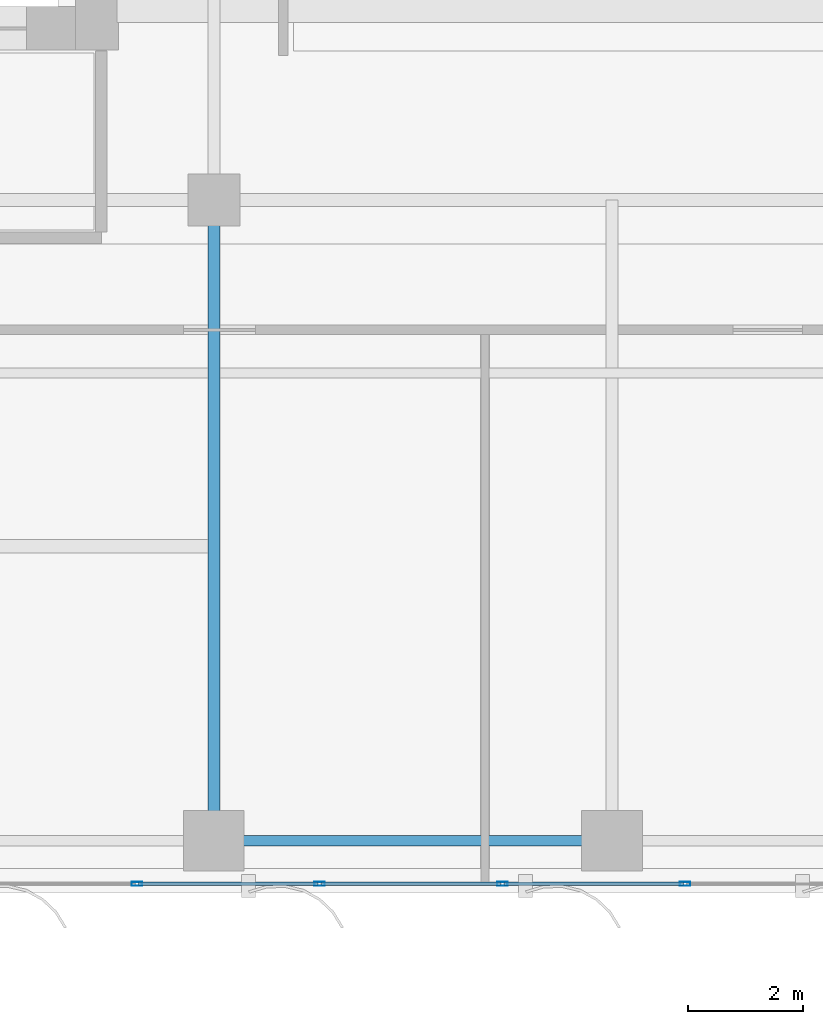
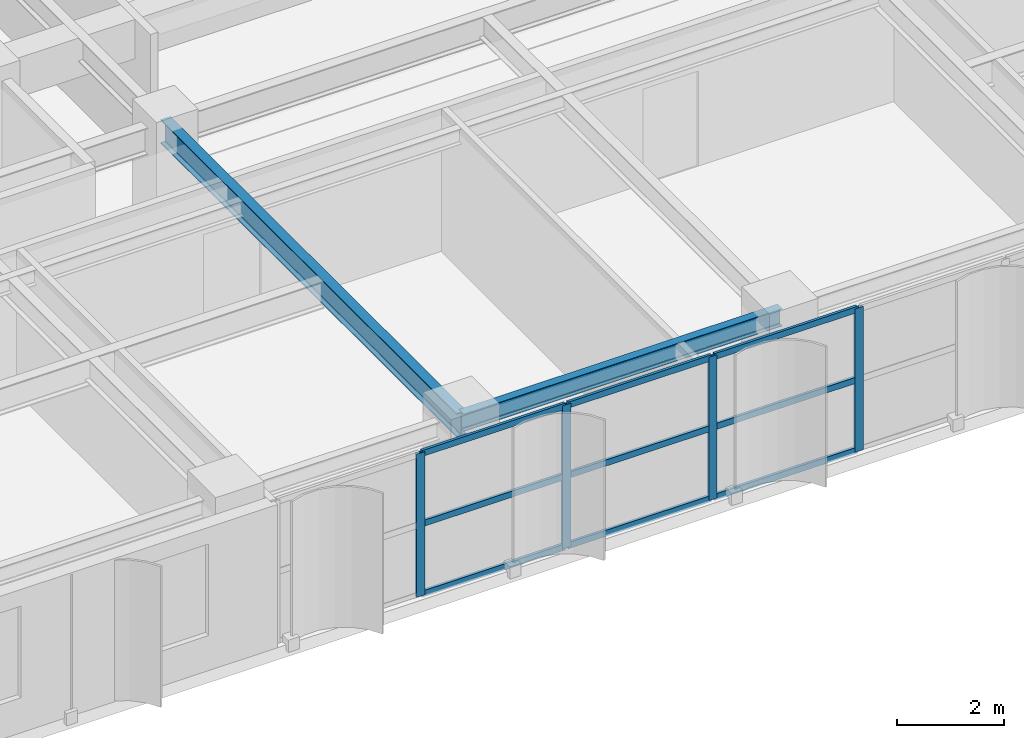
# One storey, part 4 of 28: 13 members, 2 beams, 1 element without a shape of its own.
"""IFC4 building model written with IfcOpenShell, lengths in metres."""

from ifc_helpers import new_model, si_unit, direction, frame, origin, origin_2d, place, context, subcontext, project, spatial, hollow_rectangle, i_section, extrude, source, transform, mapped, material, layer, layer_set, material_profile, profile_set, type_object, element, aggregate, save


model = new_model("IFC4")

# Units and contexts
model_context = context("Model", 3, precision=1e-05, world=origin(), true_north=direction((0.0, 1.0)))
body_context = subcontext(model_context, "Body", "Model", "MODEL_VIEW")
ifc_project = project(units=[si_unit("LENGTHUNIT", "METRE"), si_unit("AREAUNIT", "SQUARE_METRE"), si_unit("VOLUMEUNIT", "CUBIC_METRE"), si_unit("PLANEANGLEUNIT", "RADIAN"), si_unit("MASSUNIT", "GRAM", prefix="KILO")], contexts=[model_context])

# Site, building, storey
site_placement = place(None, origin())
site = spatial("IfcSite", under=ifc_project, at=site_placement, CompositionType="ELEMENT")
building_placement = place(site_placement, origin())
building = spatial("IfcBuilding", under=site, at=building_placement, Name="Khoralis Quay Care Tower", CompositionType="ELEMENT")
storey_placement = place(building_placement, frame((0.0, 0.0, 144.89990234375)))
storey = spatial("IfcBuildingStorey", under=building, at=storey_placement, Name="L38", CompositionType="ELEMENT", Elevation=144.89990234375)

# Beams
ifc_material_1 = material(Name="Steel S355", Category="steel")
ifc_material_profile_1 = material_profile(ifc_material_1, i_section(OverallWidth=0.179931640625, OverallDepth=0.39990234375, WebThickness=0.008544921875, FlangeThickness=0.013427734375, FilletRadius=0.02099609375, at=origin_2d()), Name="Steel S355")
ifc_profile_set_1 = profile_set([ifc_material_profile_1], Name="Steel S355")
beam_type_1 = type_object("IfcBeamType", Name="BM-IPE400", PredefinedType="SPANDREL", material=ifc_profile_set_1)
shared_shape_1 = source(origin(), body_context, "Body", "SweptSolid", [
    extrude(i_section(OverallWidth=0.179931640625, OverallDepth=0.39990234375, WebThickness=0.008544921875, FlangeThickness=0.013427734375, FilletRadius=0.02099609375, at=origin_2d()), origin(), (0.0, 0.0, 1.0), 6.89990234375),
])
beam_1_placement = place(storey_placement, frame((17.10009765625, 0.89990234375, 3.080078125), z_axis=(1.0, 0.0, 0.0), x_axis=(0.0, 1.0, 0.0)))
element("IfcBeam", 1, at=beam_1_placement, inside=storey, type_object=beam_type_1, Name="BM-TSP-L38-03", PredefinedType="SPANDREL", context=body_context, shape_type="MappedRepresentation", body=[
    mapped(shared_shape_1, transform((0.0, 0.0, 0.0), scale=1.0)),
])
ifc_material_profile_2 = material_profile(ifc_material_1, i_section(OverallWidth=0.2119140625, OverallDepth=0.5439453125, WebThickness=0.01318359375, FlangeThickness=0.021240234375, FilletRadius=0.01611328125, at=origin_2d()), Name="Steel S355")
ifc_profile_set_2 = profile_set([ifc_material_profile_2], Name="Steel S355")
beam_type_2 = type_object("IfcBeamType", Name="BM-W530X123", PredefinedType="BEAM", material=ifc_profile_set_2)
shared_shape_2 = source(origin(), body_context, "Body", "SweptSolid", [
    extrude(i_section(OverallWidth=0.2119140625, OverallDepth=0.5439453125, WebThickness=0.01318359375, FlangeThickness=0.021240234375, FilletRadius=0.01611328125, at=origin_2d()), origin(), (0.0, 0.0, 1.0), 11.10009765625),
])
beam_2_placement = place(storey_placement, frame((17.10009765625, 0.89990234375, 3.008056640625), z_axis=(0.0, 1.0, 0.0), x_axis=(-1.0, 0.0, 0.0)))
element("IfcBeam", 2, at=beam_2_placement, inside=storey, type_object=beam_type_2, Name="BM-TGYS-L38-171", PredefinedType="BEAM", context=body_context, shape_type="MappedRepresentation", body=[
    mapped(shared_shape_2, transform((0.0, 0.0, 0.0), scale=1.0)),
])

# Curtain wall, members
ifc_material_2 = material(Name="Pale anodised aluminium", Category="aluminium")
ifc_layer = layer(ifc_material_2, 0.169921875)
ifc_layer_set = layer_set([ifc_layer], Name="Pale anodised aluminium")
curtain_wall_type = type_object("IfcCurtainWallType", Name="CW-SYS-Z2", PredefinedType="NOTDEFINED", material=ifc_layer_set)
curtain_wall_placement = place(storey_placement, origin())
curtain_wall = element("IfcCurtainWall", 3, at=curtain_wall_placement, inside=storey, type_object=curtain_wall_type, Name="L38 Unitised Curtain Wall CW-L38-P1-E0", PredefinedType="NOTDEFINED")
ifc_material_profile_3 = material_profile(ifc_material_2, hollow_rectangle(XDim=0.06494140625, YDim=0.179931640625, WallThickness=0.00390625, at=origin_2d()), Name="Pale anodised aluminium")
ifc_profile_set_3 = profile_set([ifc_material_profile_3], Name="Pale anodised aluminium")
member_type_1 = type_object("IfcMemberType", Name="CW-MUL-180", PredefinedType="MULLION", material=ifc_profile_set_3)
shared_shape_3 = source(origin(), body_context, "Body", "SweptSolid", [
    extrude(hollow_rectangle(XDim=0.06494140625, YDim=0.179931640625, WallThickness=0.00390625, at=origin_2d()), origin(), (0.0, 0.0, 1.0), 3.280029296875),
])
member_1_placement = place(storey_placement, frame((15.7666015625, 0.14990234375, 0.0), z_axis=(0.0, 0.0, 1.0), x_axis=(0.0, 1.0, 0.0)))
member_1 = element("IfcMember", 4, at=member_1_placement, type_object=member_type_1, Name="CW2 mullion 2", PredefinedType="MULLION", context=body_context, shape_type="MappedRepresentation", body=[
    mapped(shared_shape_3, transform((0.0, 0.0, 0.0), scale=1.0)),
])
member_2_placement = place(storey_placement, frame((18.933349609375, 0.14990234375, 0.0), z_axis=(0.0, 0.0, 1.0), x_axis=(0.0, 1.0, 0.0)))
member_2 = element("IfcMember", 5, at=member_2_placement, type_object=member_type_1, Name="CW2 mullion 3", PredefinedType="MULLION", context=body_context, shape_type="MappedRepresentation", body=[
    mapped(shared_shape_3, transform((0.0, 0.0, 0.0), scale=1.0)),
])
member_3_placement = place(storey_placement, frame((22.10009765625, 0.14990234375, 0.0), z_axis=(0.0, 0.0, 1.0), x_axis=(0.0, 1.0, 0.0)))
member_3 = element("IfcMember", 6, at=member_3_placement, type_object=member_type_1, Name="CW2 mullion 4", PredefinedType="MULLION", context=body_context, shape_type="MappedRepresentation", body=[
    mapped(shared_shape_3, transform((0.0, 0.0, 0.0), scale=1.0)),
])
member_4_placement = place(storey_placement, frame((25.2666015625, 0.14990234375, 0.0), z_axis=(0.0, 0.0, 1.0), x_axis=(0.0, 1.0, 0.0)))
member_4 = element("IfcMember", 7, at=member_4_placement, type_object=member_type_1, Name="CW2 mullion 5", PredefinedType="MULLION", context=body_context, shape_type="MappedRepresentation", body=[
    mapped(shared_shape_3, transform((0.0, 0.0, 0.0), scale=1.0)),
])
ifc_material_profile_4 = material_profile(ifc_material_2, hollow_rectangle(XDim=0.06005859375, YDim=0.139892578125, WallThickness=0.00390625, at=origin_2d()), Name="Pale anodised aluminium")
ifc_profile_set_4 = profile_set([ifc_material_profile_4], Name="Pale anodised aluminium")
member_type_2 = type_object("IfcMemberType", Name="CW-TRN-140", PredefinedType="USERDEFINED", material=ifc_profile_set_4)
shared_shape_4 = source(origin(), body_context, "Body", "SweptSolid", [
    extrude(hollow_rectangle(XDim=0.06005859375, YDim=0.139892578125, WallThickness=0.00390625, at=origin_2d()), origin(), (0.0, 0.0, 1.0), 3.106689453125),
])
member_5_placement = place(storey_placement, frame((15.796630859375, 0.14990234375, 0.030029296875), z_axis=(1.0, 0.0, 0.0), x_axis=(0.0, 1.0, 0.0)))
member_5 = element("IfcMember", 8, at=member_5_placement, type_object=member_type_2, Name="CW2 transom 2.1", ObjectType="TRANSOM", PredefinedType="USERDEFINED", context=body_context, shape_type="MappedRepresentation", body=[
    mapped(shared_shape_4, transform((0.0, 0.0, 0.0), scale=1.0)),
])
member_6_placement = place(storey_placement, frame((15.796630859375, 0.14990234375, 1.64013671875), z_axis=(1.0, 0.0, 0.0), x_axis=(0.0, 1.0, 0.0)))
member_6 = element("IfcMember", 9, at=member_6_placement, type_object=member_type_2, Name="CW2 transom 2.2", ObjectType="TRANSOM", PredefinedType="USERDEFINED", context=body_context, shape_type="MappedRepresentation", body=[
    mapped(shared_shape_4, transform((0.0, 0.0, 0.0), scale=1.0)),
])
member_7_placement = place(storey_placement, frame((15.796630859375, 0.14990234375, 3.25), z_axis=(1.0, 0.0, 0.0), x_axis=(0.0, 1.0, 0.0)))
member_7 = element("IfcMember", 10, at=member_7_placement, type_object=member_type_2, Name="CW2 transom 2.3", ObjectType="TRANSOM", PredefinedType="USERDEFINED", context=body_context, shape_type="MappedRepresentation", body=[
    mapped(shared_shape_4, transform((0.0, 0.0, 0.0), scale=1.0)),
])
member_8_placement = place(storey_placement, frame((18.96337890625, 0.14990234375, 0.030029296875), z_axis=(1.0, 0.0, 0.0), x_axis=(0.0, 1.0, 0.0)))
member_8 = element("IfcMember", 11, at=member_8_placement, type_object=member_type_2, Name="CW2 transom 3.1", ObjectType="TRANSOM", PredefinedType="USERDEFINED", context=body_context, shape_type="MappedRepresentation", body=[
    mapped(shared_shape_4, transform((0.0, 0.0, 0.0), scale=1.0)),
])
member_9_placement = place(storey_placement, frame((18.96337890625, 0.14990234375, 1.64013671875), z_axis=(1.0, 0.0, 0.0), x_axis=(0.0, 1.0, 0.0)))
member_9 = element("IfcMember", 12, at=member_9_placement, type_object=member_type_2, Name="CW2 transom 3.2", ObjectType="TRANSOM", PredefinedType="USERDEFINED", context=body_context, shape_type="MappedRepresentation", body=[
    mapped(shared_shape_4, transform((0.0, 0.0, 0.0), scale=1.0)),
])
member_10_placement = place(storey_placement, frame((18.96337890625, 0.14990234375, 3.25), z_axis=(1.0, 0.0, 0.0), x_axis=(0.0, 1.0, 0.0)))
member_10 = element("IfcMember", 13, at=member_10_placement, type_object=member_type_2, Name="CW2 transom 3.3", ObjectType="TRANSOM", PredefinedType="USERDEFINED", context=body_context, shape_type="MappedRepresentation", body=[
    mapped(shared_shape_4, transform((0.0, 0.0, 0.0), scale=1.0)),
])
member_11_placement = place(storey_placement, frame((22.1298828125, 0.14990234375, 0.030029296875), z_axis=(1.0, 0.0, 0.0), x_axis=(0.0, 1.0, 0.0)))
member_11 = element("IfcMember", 14, at=member_11_placement, type_object=member_type_2, Name="CW2 transom 4.1", ObjectType="TRANSOM", PredefinedType="USERDEFINED", context=body_context, shape_type="MappedRepresentation", body=[
    mapped(shared_shape_4, transform((0.0, 0.0, 0.0), scale=1.0)),
])
member_12_placement = place(storey_placement, frame((22.1298828125, 0.14990234375, 1.64013671875), z_axis=(1.0, 0.0, 0.0), x_axis=(0.0, 1.0, 0.0)))
member_12 = element("IfcMember", 15, at=member_12_placement, type_object=member_type_2, Name="CW2 transom 4.2", ObjectType="TRANSOM", PredefinedType="USERDEFINED", context=body_context, shape_type="MappedRepresentation", body=[
    mapped(shared_shape_4, transform((0.0, 0.0, 0.0), scale=1.0)),
])
member_13_placement = place(storey_placement, frame((22.1298828125, 0.14990234375, 3.25), z_axis=(1.0, 0.0, 0.0), x_axis=(0.0, 1.0, 0.0)))
member_13 = element("IfcMember", 16, at=member_13_placement, type_object=member_type_2, Name="CW2 transom 4.3", ObjectType="TRANSOM", PredefinedType="USERDEFINED", context=body_context, shape_type="MappedRepresentation", body=[
    mapped(shared_shape_4, transform((0.0, 0.0, 0.0), scale=1.0)),
])
aggregate(curtain_wall, [member_1, member_2, member_3, member_4, member_5, member_6, member_7, member_8, member_9, member_10, member_11, member_12, member_13])

save(model, "model.ifc")
